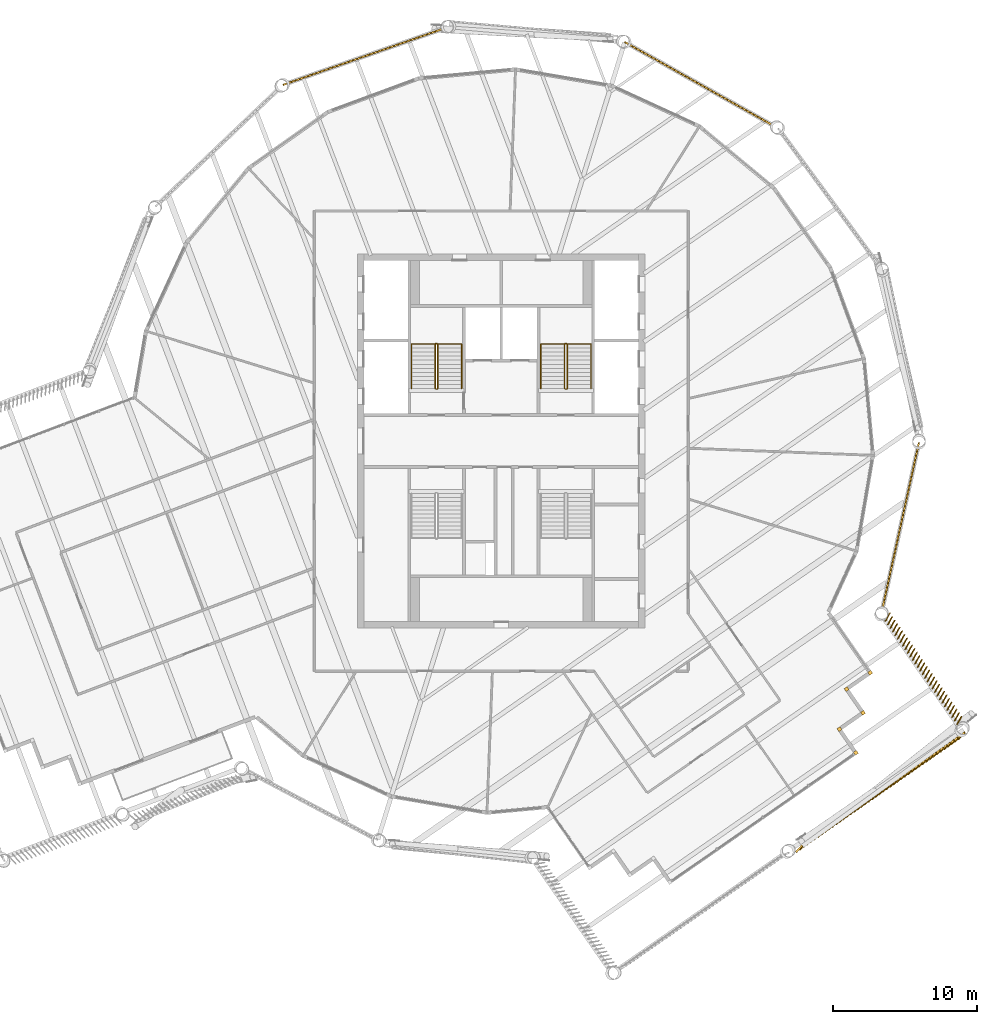
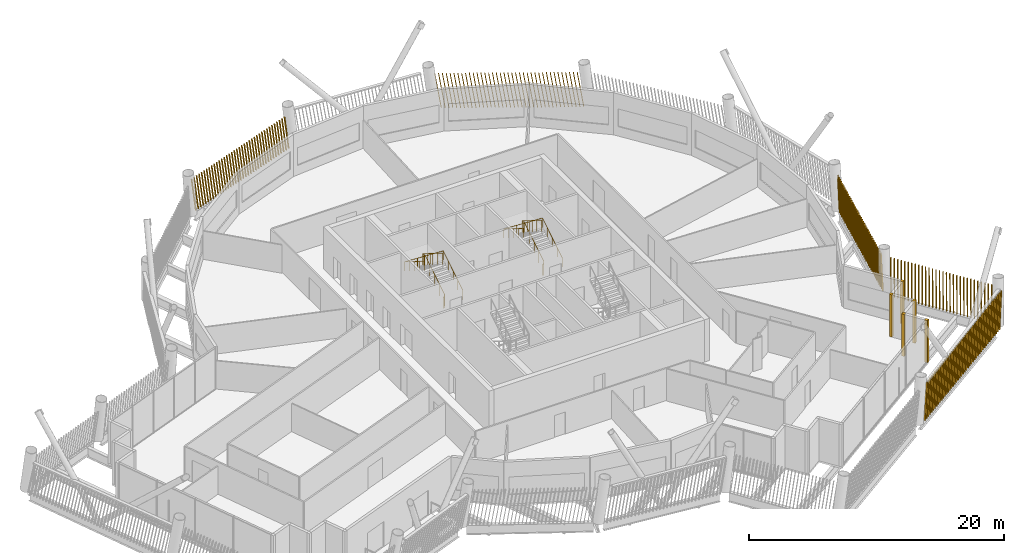
# One storey, part 31 of 33: 10 shading devices, 4 railings.
"""IFC4 building model written with IfcOpenShell, lengths in metres."""

from ifc_helpers import new_model, si_unit, direction, frame, frame_2d, origin, origin_2d, place, context, subcontext, project, spatial, rectangle, circle, composite_profile, extrude, material, type_object, element, save


model = new_model("IFC4")

# Units and contexts
model_context = context("Model", 3, precision=1e-05, world=origin(), true_north=direction((0.0, 1.0)))
body_context = subcontext(model_context, "Body", "Model", "MODEL_VIEW")
ifc_project = project(units=[si_unit("LENGTHUNIT", "METRE"), si_unit("AREAUNIT", "SQUARE_METRE"), si_unit("VOLUMEUNIT", "CUBIC_METRE"), si_unit("PLANEANGLEUNIT", "RADIAN"), si_unit("MASSUNIT", "GRAM", prefix="KILO")], contexts=[model_context])

# Site, building, storey
site_placement = place(None, origin())
site = spatial("IfcSite", under=ifc_project, at=site_placement, CompositionType="ELEMENT")
building_placement = place(site_placement, origin())
building = spatial("IfcBuilding", under=site, at=building_placement, Name="Tarsis Ring Headquarters", CompositionType="ELEMENT")
storey_placement = place(building_placement, frame((0.0, 0.0, 369.199951171875)))
storey = spatial("IfcBuildingStorey", under=building, at=storey_placement, Name="L87", CompositionType="ELEMENT", Elevation=369.199951171875)

# Railings
ifc_material_1 = material(Name="Steel S355", Category="steel")
railing_type_1 = type_object("IfcRailingType", Name="Core stair guard 1100", PredefinedType="GUARDRAIL", material=ifc_material_1)
railing_1_placement = place(storey_placement, frame((-4.5400390625, 3.610107421875, 0.0)))
element("IfcRailing", 1, at=railing_1_placement, inside=storey, type_object=railing_type_1, Name="L87 ST1 stair guard 1", PredefinedType="GUARDRAIL", context=body_context, shape_type="SweptSolid", body=[
    extrude(circle(Radius=0.02392578125, at=origin_2d()), frame((0.0, 0.0, 1.076171875), z_axis=(1.0, 0.0, 0.0), x_axis=(0.0, 1.0, 0.0)), (0.0, 0.0, 1.0), 0.080078125),
    extrude(circle(Radius=0.02392578125, at=origin_2d()), frame((0.080078125, 0.0, 1.076171875), z_axis=(0.265155923931, 0.263862480399, 0.927399011991), x_axis=(-0.705375805398, 0.708833529934, 0.0)), (0.0, 0.0, 1.0), 0.188720703125),
    extrude(circle(Radius=0.02392578125, at=origin_2d()), frame((0.130126953125, 0.0498046875, 1.2509765625), z_axis=(0.0, 0.847998304005, 0.529998940003), x_axis=(-1.0, 0.0, 0.0)), (0.0, 0.0, 1.0), 3.632080078125),
    extrude(circle(Radius=0.02392578125, at=origin_2d()), frame((0.130126953125, 3.1298828125, 3.17626953125), z_axis=(-0.707106781187, 0.707106781187, 0.0), x_axis=(-0.707106781187, -0.707106781187, 0.0)), (0.0, 0.0, 1.0), 0.07080078125),
    extrude(circle(Radius=0.02392578125, at=origin_2d()), frame((0.080078125, 3.179931640625, 3.17626953125), z_axis=(-1.0, 0.0, 0.0), x_axis=(0.0, -1.0, 0.0)), (0.0, 0.0, 1.0), 0.080078125),
    extrude(circle(Radius=0.02392578125, at=origin_2d()), frame((0.0, 3.179931640625, 3.17626953125), z_axis=(-0.265065253269, -0.265065253269, 0.927081885822), x_axis=(0.707106781187, -0.707106781187, 0.0)), (0.0, 0.0, 1.0), 0.188720703125),
    extrude(circle(Radius=0.02392578125, at=origin_2d()), frame((-0.050048828125, 3.1298828125, 3.35107421875), z_axis=(0.0, -0.848028513186, 0.529950602248), x_axis=(1.0, 0.0, 0.0)), (0.0, 0.0, 1.0), 3.632080078125),
    extrude(circle(Radius=0.02099609375, at=origin_2d()), origin(), (0.0, 0.0, 1.0), 1.052001953125),
    extrude(circle(Radius=0.02099609375, at=origin_2d()), frame((0.080078125, 0.0, 0.0)), (0.0, 0.0, 1.0), 1.052001953125),
    extrude(circle(Radius=0.02099609375, at=origin_2d()), frame((0.130126953125, 0.0498046875, 0.175048828125)), (0.0, 0.0, 1.0), 1.052001953125),
    extrude(circle(Radius=0.02099609375, at=origin_2d()), frame((0.130126953125, 0.81982421875, 0.65625)), (0.0, 0.0, 1.0), 1.052001953125),
    extrude(circle(Radius=0.02099609375, at=origin_2d()), frame((0.130126953125, 1.58984375, 1.1376953125)), (0.0, 0.0, 1.0), 1.052001953125),
    extrude(circle(Radius=0.02099609375, at=origin_2d()), frame((0.130126953125, 2.35986328125, 1.618896484375)), (0.0, 0.0, 1.0), 1.052001953125),
    extrude(circle(Radius=0.02099609375, at=origin_2d()), frame((0.130126953125, 3.1298828125, 2.10009765625)), (0.0, 0.0, 1.0), 1.052001953125),
    extrude(circle(Radius=0.02099609375, at=origin_2d()), frame((0.080078125, 3.179931640625, 2.10009765625)), (0.0, 0.0, 1.0), 1.052001953125),
    extrude(circle(Radius=0.02099609375, at=origin_2d()), frame((0.0, 3.179931640625, 2.10009765625)), (0.0, 0.0, 1.0), 1.052001953125),
    extrude(circle(Radius=0.02099609375, at=origin_2d()), frame((-0.050048828125, 3.1298828125, 2.275146484375)), (0.0, 0.0, 1.0), 1.052001953125),
    extrude(circle(Radius=0.02099609375, at=origin_2d()), frame((-0.050048828125, 2.35986328125, 2.75634765625)), (0.0, 0.0, 1.0), 1.052001953125),
    extrude(circle(Radius=0.02099609375, at=origin_2d()), frame((-0.050048828125, 1.58984375, 3.237548828125)), (0.0, 0.0, 1.0), 1.052001953125),
    extrude(circle(Radius=0.02099609375, at=origin_2d()), frame((-0.050048828125, 0.81982421875, 3.71875)), (0.0, 0.0, 1.0), 1.052001953125),
    extrude(circle(Radius=0.02099609375, at=origin_2d()), frame((-0.050048828125, 0.0498046875, 4.199951171875)), (0.0, 0.0, 1.0), 1.052001953125),
])
railing_2_placement = place(storey_placement, frame((4.4599609375, 3.610107421875, 0.0)))
element("IfcRailing", 2, at=railing_2_placement, inside=storey, type_object=railing_type_1, Name="L87 ST2 stair guard 1", PredefinedType="GUARDRAIL", context=body_context, shape_type="SweptSolid", body=[
    extrude(circle(Radius=0.02392578125, at=origin_2d()), frame((0.0, 0.0, 1.076171875), z_axis=(1.0, 0.0, 0.0), x_axis=(0.0, 1.0, 0.0)), (0.0, 0.0, 1.0), 0.080078125),
    extrude(circle(Radius=0.02392578125, at=origin_2d()), frame((0.080078125, 0.0, 1.076171875), z_axis=(0.265155923931, 0.263862480399, 0.927399011991), x_axis=(-0.705375805398, 0.708833529934, 0.0)), (0.0, 0.0, 1.0), 0.188720703125),
    extrude(circle(Radius=0.02392578125, at=origin_2d()), frame((0.130126953125, 0.0498046875, 1.2509765625), z_axis=(0.0, 0.847998304005, 0.529998940003), x_axis=(-1.0, 0.0, 0.0)), (0.0, 0.0, 1.0), 3.632080078125),
    extrude(circle(Radius=0.02392578125, at=origin_2d()), frame((0.130126953125, 3.1298828125, 3.17626953125), z_axis=(-0.707106781187, 0.707106781187, 0.0), x_axis=(-0.707106781187, -0.707106781187, 0.0)), (0.0, 0.0, 1.0), 0.07080078125),
    extrude(circle(Radius=0.02392578125, at=origin_2d()), frame((0.080078125, 3.179931640625, 3.17626953125), z_axis=(-1.0, 0.0, 0.0), x_axis=(0.0, -1.0, 0.0)), (0.0, 0.0, 1.0), 0.080078125),
    extrude(circle(Radius=0.02392578125, at=origin_2d()), frame((0.0, 3.179931640625, 3.17626953125), z_axis=(-0.265065253269, -0.265065253269, 0.927081885822), x_axis=(0.707106781187, -0.707106781187, 0.0)), (0.0, 0.0, 1.0), 0.188720703125),
    extrude(circle(Radius=0.02392578125, at=origin_2d()), frame((-0.050048828125, 3.1298828125, 3.35107421875), z_axis=(0.0, -0.848028513186, 0.529950602248), x_axis=(1.0, 0.0, 0.0)), (0.0, 0.0, 1.0), 3.632080078125),
    extrude(circle(Radius=0.02099609375, at=origin_2d()), origin(), (0.0, 0.0, 1.0), 1.052001953125),
    extrude(circle(Radius=0.02099609375, at=origin_2d()), frame((0.080078125, 0.0, 0.0)), (0.0, 0.0, 1.0), 1.052001953125),
    extrude(circle(Radius=0.02099609375, at=origin_2d()), frame((0.130126953125, 0.0498046875, 0.175048828125)), (0.0, 0.0, 1.0), 1.052001953125),
    extrude(circle(Radius=0.02099609375, at=origin_2d()), frame((0.130126953125, 0.81982421875, 0.65625)), (0.0, 0.0, 1.0), 1.052001953125),
    extrude(circle(Radius=0.02099609375, at=origin_2d()), frame((0.130126953125, 1.58984375, 1.1376953125)), (0.0, 0.0, 1.0), 1.052001953125),
    extrude(circle(Radius=0.02099609375, at=origin_2d()), frame((0.130126953125, 2.35986328125, 1.618896484375)), (0.0, 0.0, 1.0), 1.052001953125),
    extrude(circle(Radius=0.02099609375, at=origin_2d()), frame((0.130126953125, 3.1298828125, 2.10009765625)), (0.0, 0.0, 1.0), 1.052001953125),
    extrude(circle(Radius=0.02099609375, at=origin_2d()), frame((0.080078125, 3.179931640625, 2.10009765625)), (0.0, 0.0, 1.0), 1.052001953125),
    extrude(circle(Radius=0.02099609375, at=origin_2d()), frame((0.0, 3.179931640625, 2.10009765625)), (0.0, 0.0, 1.0), 1.052001953125),
    extrude(circle(Radius=0.02099609375, at=origin_2d()), frame((-0.050048828125, 3.1298828125, 2.275146484375)), (0.0, 0.0, 1.0), 1.052001953125),
    extrude(circle(Radius=0.02099609375, at=origin_2d()), frame((-0.050048828125, 2.35986328125, 2.75634765625)), (0.0, 0.0, 1.0), 1.052001953125),
    extrude(circle(Radius=0.02099609375, at=origin_2d()), frame((-0.050048828125, 1.58984375, 3.237548828125)), (0.0, 0.0, 1.0), 1.052001953125),
    extrude(circle(Radius=0.02099609375, at=origin_2d()), frame((-0.050048828125, 0.81982421875, 3.71875)), (0.0, 0.0, 1.0), 1.052001953125),
    extrude(circle(Radius=0.02099609375, at=origin_2d()), frame((-0.050048828125, 0.0498046875, 4.199951171875)), (0.0, 0.0, 1.0), 1.052001953125),
])
railing_type_2 = type_object("IfcRailingType", Name="Core stair handrail 900", PredefinedType="HANDRAIL", material=ifc_material_1)
railing_3_placement = place(storey_placement, frame((-2.75, 3.659912109375, 0.175048828125)))
element("IfcRailing", 3, at=railing_3_placement, inside=storey, type_object=railing_type_2, Name="L87 ST1 stair handrail 1", PredefinedType="HANDRAIL", context=body_context, shape_type="SweptSolid", body=[
    extrude(circle(Radius=0.02392578125, at=origin_2d()), frame((0.0, 0.0, 0.8759765625), z_axis=(0.0, 0.847998304005, 0.529998940003), x_axis=(-1.0, 0.0, 0.0)), (0.0, 0.0, 1.0), 3.632080078125),
    extrude(circle(Radius=0.02392578125, at=origin_2d()), frame((0.0, 3.080078125, 2.80078125), z_axis=(-0.998751643845, 0.0, 0.049951515669), x_axis=(0.0, -1.0, 0.0)), (0.0, 0.0, 1.0), 3.50439453125),
    extrude(circle(Radius=0.02392578125, at=origin_2d()), frame((-3.5, 3.080078125, 2.97607421875), z_axis=(0.0, -0.848028513186, 0.529950602248), x_axis=(1.0, 0.0, 0.0)), (0.0, 0.0, 1.0), 3.632080078125),
    extrude(circle(Radius=0.02099609375, at=origin_2d()), origin(), (0.0, 0.0, 1.0), 0.851806640625),
    extrude(circle(Radius=0.02099609375, at=origin_2d()), frame((0.0, 0.77001953125, 0.481201171875)), (0.0, 0.0, 1.0), 0.851806640625),
    extrude(circle(Radius=0.02099609375, at=origin_2d()), frame((0.0, 1.5400390625, 0.96240234375)), (0.0, 0.0, 1.0), 0.851806640625),
    extrude(circle(Radius=0.02099609375, at=origin_2d()), frame((0.0, 2.31005859375, 1.44384765625)), (0.0, 0.0, 1.0), 0.851806640625),
    extrude(circle(Radius=0.02099609375, at=origin_2d()), frame((0.0, 3.080078125, 1.925048828125)), (0.0, 0.0, 1.0), 0.851806640625),
    extrude(circle(Radius=0.02099609375, at=origin_2d()), frame((-1.166748046875, 3.080078125, 1.9833984375)), (0.0, 0.0, 1.0), 0.851806640625),
    extrude(circle(Radius=0.02099609375, at=origin_2d()), frame((-2.333251953125, 3.080078125, 2.041748046875)), (0.0, 0.0, 1.0), 0.851806640625),
    extrude(circle(Radius=0.02099609375, at=origin_2d()), frame((-3.5, 3.080078125, 2.10009765625)), (0.0, 0.0, 1.0), 0.851806640625),
    extrude(circle(Radius=0.02099609375, at=origin_2d()), frame((-3.5, 2.31005859375, 2.581298828125)), (0.0, 0.0, 1.0), 0.851806640625),
    extrude(circle(Radius=0.02099609375, at=origin_2d()), frame((-3.5, 1.5400390625, 3.0625)), (0.0, 0.0, 1.0), 0.851806640625),
    extrude(circle(Radius=0.02099609375, at=origin_2d()), frame((-3.5, 0.77001953125, 3.543701171875)), (0.0, 0.0, 1.0), 0.851806640625),
    extrude(circle(Radius=0.02099609375, at=origin_2d()), frame((-3.5, 0.0, 4.02490234375)), (0.0, 0.0, 1.0), 0.851806640625),
])
railing_4_placement = place(storey_placement, frame((6.25, 3.659912109375, 0.175048828125)))
element("IfcRailing", 4, at=railing_4_placement, inside=storey, type_object=railing_type_2, Name="L87 ST2 stair handrail 1", PredefinedType="HANDRAIL", context=body_context, shape_type="SweptSolid", body=[
    extrude(circle(Radius=0.02392578125, at=origin_2d()), frame((0.0, 0.0, 0.8759765625), z_axis=(0.0, 0.847998304005, 0.529998940003), x_axis=(-1.0, 0.0, 0.0)), (0.0, 0.0, 1.0), 3.632080078125),
    extrude(circle(Radius=0.02392578125, at=origin_2d()), frame((0.0, 3.080078125, 2.80078125), z_axis=(-0.998751643845, 0.0, 0.049951515669), x_axis=(0.0, -1.0, 0.0)), (0.0, 0.0, 1.0), 3.50439453125),
    extrude(circle(Radius=0.02392578125, at=origin_2d()), frame((-3.5, 3.080078125, 2.97607421875), z_axis=(0.0, -0.848028513186, 0.529950602248), x_axis=(1.0, 0.0, 0.0)), (0.0, 0.0, 1.0), 3.632080078125),
    extrude(circle(Radius=0.02099609375, at=origin_2d()), origin(), (0.0, 0.0, 1.0), 0.851806640625),
    extrude(circle(Radius=0.02099609375, at=origin_2d()), frame((0.0, 0.77001953125, 0.481201171875)), (0.0, 0.0, 1.0), 0.851806640625),
    extrude(circle(Radius=0.02099609375, at=origin_2d()), frame((0.0, 1.5400390625, 0.96240234375)), (0.0, 0.0, 1.0), 0.851806640625),
    extrude(circle(Radius=0.02099609375, at=origin_2d()), frame((0.0, 2.31005859375, 1.44384765625)), (0.0, 0.0, 1.0), 0.851806640625),
    extrude(circle(Radius=0.02099609375, at=origin_2d()), frame((0.0, 3.080078125, 1.925048828125)), (0.0, 0.0, 1.0), 0.851806640625),
    extrude(circle(Radius=0.02099609375, at=origin_2d()), frame((-1.166748046875, 3.080078125, 1.9833984375)), (0.0, 0.0, 1.0), 0.851806640625),
    extrude(circle(Radius=0.02099609375, at=origin_2d()), frame((-2.333251953125, 3.080078125, 2.041748046875)), (0.0, 0.0, 1.0), 0.851806640625),
    extrude(circle(Radius=0.02099609375, at=origin_2d()), frame((-3.5, 3.080078125, 2.10009765625)), (0.0, 0.0, 1.0), 0.851806640625),
    extrude(circle(Radius=0.02099609375, at=origin_2d()), frame((-3.5, 2.31005859375, 2.581298828125)), (0.0, 0.0, 1.0), 0.851806640625),
    extrude(circle(Radius=0.02099609375, at=origin_2d()), frame((-3.5, 1.5400390625, 3.0625)), (0.0, 0.0, 1.0), 0.851806640625),
    extrude(circle(Radius=0.02099609375, at=origin_2d()), frame((-3.5, 0.77001953125, 3.543701171875)), (0.0, 0.0, 1.0), 0.851806640625),
    extrude(circle(Radius=0.02099609375, at=origin_2d()), frame((-3.5, 0.0, 4.02490234375)), (0.0, 0.0, 1.0), 0.851806640625),
])

# Shading devices
ifc_material_2 = material(Name="Terracotta baguette", Category="masonry")
shading_device_type_1 = type_object("IfcShadingDeviceType", Name="Terracotta baguette screen", PredefinedType="USERDEFINED", material=ifc_material_2)
shading_device_1_placement = place(storey_placement, frame((20.4853515625, -28.5986328125, 0.0), z_axis=(0.0, 0.0, 1.0), x_axis=(0.821144252203, 0.570710823338, 0.0)))
element("IfcShadingDevice", 5, at=shading_device_1_placement, inside=storey, type_object=shading_device_type_1, Name="Baguette screen L87-03", ObjectType="Terracotta baguette screen", PredefinedType="USERDEFINED", context=body_context, shape_type="SweptSolid", body=[
    extrude(composite_profile([rectangle(XDim=0.06005859375, YDim=0.1201171875, at=frame_2d((0.030029296875, 0.0))), rectangle(XDim=0.06005859375, YDim=0.1201171875, at=frame_2d((0.33544921875, 0.0))), rectangle(XDim=0.06005859375, YDim=0.1201171875, at=frame_2d((0.640625, 0.0))), rectangle(XDim=0.06005859375, YDim=0.1201171875, at=frame_2d((0.946044921875, 0.0))), rectangle(XDim=0.06005859375, YDim=0.1201171875, at=frame_2d((1.25146484375, 0.0))), rectangle(XDim=0.06005859375, YDim=0.1201171875, at=frame_2d((1.556640625, 0.0))), rectangle(XDim=0.06005859375, YDim=0.1201171875, at=frame_2d((1.862060546875, 0.0))), rectangle(XDim=0.06005859375, YDim=0.1201171875, at=frame_2d((2.16748046875, 0.0))), rectangle(XDim=0.06005859375, YDim=0.1201171875, at=frame_2d((2.47265625, 0.0))), rectangle(XDim=0.06005859375, YDim=0.1201171875, at=frame_2d((2.778076171875, 0.0))), rectangle(XDim=0.06005859375, YDim=0.1201171875, at=frame_2d((3.08349609375, 0.0))), rectangle(XDim=0.06005859375, YDim=0.1201171875, at=frame_2d((3.388671875, 0.0))), rectangle(XDim=0.06005859375, YDim=0.1201171875, at=frame_2d((3.694091796875, 0.0))), rectangle(XDim=0.06005859375, YDim=0.1201171875, at=frame_2d((3.99951171875, 0.0))), rectangle(XDim=0.06005859375, YDim=0.1201171875, at=frame_2d((4.3046875, 0.0))), rectangle(XDim=0.06005859375, YDim=0.1201171875, at=frame_2d((4.610107421875, 0.0))), rectangle(XDim=0.06005859375, YDim=0.1201171875, at=frame_2d((4.91552734375, 0.0))), rectangle(XDim=0.06005859375, YDim=0.1201171875, at=frame_2d((5.220703125, 0.0))), rectangle(XDim=0.06005859375, YDim=0.1201171875, at=frame_2d((5.526123046875, 0.0))), rectangle(XDim=0.06005859375, YDim=0.1201171875, at=frame_2d((5.83154296875, 0.0))), rectangle(XDim=0.06005859375, YDim=0.1201171875, at=frame_2d((6.13671875, 0.0))), rectangle(XDim=0.06005859375, YDim=0.1201171875, at=frame_2d((6.442138671875, 0.0))), rectangle(XDim=0.06005859375, YDim=0.1201171875, at=frame_2d((6.74755859375, 0.0))), rectangle(XDim=0.06005859375, YDim=0.1201171875, at=frame_2d((7.052734375, 0.0))), rectangle(XDim=0.06005859375, YDim=0.1201171875, at=frame_2d((7.358154296875, 0.0))), rectangle(XDim=0.06005859375, YDim=0.1201171875, at=frame_2d((7.66357421875, 0.0))), rectangle(XDim=0.06005859375, YDim=0.1201171875, at=frame_2d((7.96875, 0.0))), rectangle(XDim=0.06005859375, YDim=0.1201171875, at=frame_2d((8.274169921875, 0.0))), rectangle(XDim=0.06005859375, YDim=0.1201171875, at=frame_2d((8.57958984375, 0.0))), rectangle(XDim=0.06005859375, YDim=0.1201171875, at=frame_2d((8.884765625, 0.0))), rectangle(XDim=0.06005859375, YDim=0.1201171875, at=frame_2d((9.190185546875, 0.0))), rectangle(XDim=0.06005859375, YDim=0.1201171875, at=frame_2d((9.49560546875, 0.0))), rectangle(XDim=0.06005859375, YDim=0.1201171875, at=frame_2d((9.80078125, 0.0))), rectangle(XDim=0.06005859375, YDim=0.1201171875, at=frame_2d((10.106201171875, 0.0))), rectangle(XDim=0.06005859375, YDim=0.1201171875, at=frame_2d((10.41162109375, 0.0))), rectangle(XDim=0.06005859375, YDim=0.1201171875, at=frame_2d((10.716796875, 0.0))), rectangle(XDim=0.06005859375, YDim=0.1201171875, at=frame_2d((11.022216796875, 0.0))), rectangle(XDim=0.06005859375, YDim=0.1201171875, at=frame_2d((11.32763671875, 0.0))), rectangle(XDim=0.06005859375, YDim=0.1201171875, at=frame_2d((11.6328125, 0.0))), rectangle(XDim=0.06005859375, YDim=0.1201171875, at=frame_2d((11.938232421875, 0.0))), rectangle(XDim=0.06005859375, YDim=0.1201171875, at=frame_2d((12.24365234375, 0.0))), rectangle(XDim=0.06005859375, YDim=0.1201171875, at=frame_2d((12.548828125, 0.0))), rectangle(XDim=0.06005859375, YDim=0.1201171875, at=frame_2d((12.854248046875, 0.0))), rectangle(XDim=0.06005859375, YDim=0.1201171875, at=frame_2d((13.15966796875, 0.0))), rectangle(XDim=0.06005859375, YDim=0.1201171875, at=frame_2d((13.46484375, 0.0))), rectangle(XDim=0.06005859375, YDim=0.1201171875, at=frame_2d((13.770263671875, 0.0)))]), origin(), (0.190512166858, 0.041887954961, 0.98079075929), 3.3447265625),
])
shading_device_2_placement = place(storey_placement, frame((31.728515625, -19.71875, 0.0), z_axis=(0.0, 0.0, 1.0), x_axis=(-0.570723456174, 0.821146327261, 0.0)))
element("IfcShadingDevice", 6, at=shading_device_2_placement, inside=storey, type_object=shading_device_type_1, Name="Baguette screen L87-04", ObjectType="Terracotta baguette screen", PredefinedType="USERDEFINED", context=body_context, shape_type="SweptSolid", body=[
    extrude(composite_profile([rectangle(XDim=0.06005859375, YDim=0.1201171875, at=frame_2d((0.030029296875, 0.0))), rectangle(XDim=0.06005859375, YDim=0.1201171875, at=frame_2d((0.33154296875, 0.0))), rectangle(XDim=0.06005859375, YDim=0.1201171875, at=frame_2d((0.633056640625, 0.0))), rectangle(XDim=0.06005859375, YDim=0.1201171875, at=frame_2d((0.9345703125, 0.0))), rectangle(XDim=0.06005859375, YDim=0.1201171875, at=frame_2d((1.236083984375, 0.0))), rectangle(XDim=0.06005859375, YDim=0.1201171875, at=frame_2d((1.53759765625, 0.0))), rectangle(XDim=0.06005859375, YDim=0.1201171875, at=frame_2d((1.839111328125, 0.0))), rectangle(XDim=0.06005859375, YDim=0.1201171875, at=frame_2d((2.140625, 0.0))), rectangle(XDim=0.06005859375, YDim=0.1201171875, at=frame_2d((2.442138671875, 0.0))), rectangle(XDim=0.06005859375, YDim=0.1201171875, at=frame_2d((2.74365234375, 0.0))), rectangle(XDim=0.06005859375, YDim=0.1201171875, at=frame_2d((3.045166015625, 0.0))), rectangle(XDim=0.06005859375, YDim=0.1201171875, at=frame_2d((3.3466796875, 0.0))), rectangle(XDim=0.06005859375, YDim=0.1201171875, at=frame_2d((3.648193359375, 0.0))), rectangle(XDim=0.06005859375, YDim=0.1201171875, at=frame_2d((3.94970703125, 0.0))), rectangle(XDim=0.06005859375, YDim=0.1201171875, at=frame_2d((4.251220703125, 0.0))), rectangle(XDim=0.06005859375, YDim=0.1201171875, at=frame_2d((4.552978515625, 0.0))), rectangle(XDim=0.06005859375, YDim=0.1201171875, at=frame_2d((4.8544921875, 0.0))), rectangle(XDim=0.06005859375, YDim=0.1201171875, at=frame_2d((5.156005859375, 0.0))), rectangle(XDim=0.06005859375, YDim=0.1201171875, at=frame_2d((5.45751953125, 0.0))), rectangle(XDim=0.06005859375, YDim=0.1201171875, at=frame_2d((5.759033203125, 0.0))), rectangle(XDim=0.06005859375, YDim=0.1201171875, at=frame_2d((6.060546875, 0.0))), rectangle(XDim=0.06005859375, YDim=0.1201171875, at=frame_2d((6.362060546875, 0.0))), rectangle(XDim=0.06005859375, YDim=0.1201171875, at=frame_2d((6.66357421875, 0.0))), rectangle(XDim=0.06005859375, YDim=0.1201171875, at=frame_2d((6.965087890625, 0.0))), rectangle(XDim=0.06005859375, YDim=0.1201171875, at=frame_2d((7.2666015625, 0.0))), rectangle(XDim=0.06005859375, YDim=0.1201171875, at=frame_2d((7.568115234375, 0.0))), rectangle(XDim=0.06005859375, YDim=0.1201171875, at=frame_2d((7.86962890625, 0.0))), rectangle(XDim=0.06005859375, YDim=0.1201171875, at=frame_2d((8.171142578125, 0.0))), rectangle(XDim=0.06005859375, YDim=0.1201171875, at=frame_2d((8.47265625, 0.0))), rectangle(XDim=0.06005859375, YDim=0.1201171875, at=frame_2d((8.774169921875, 0.0)))]), origin(), (0.081999706133, -0.161940747497, 0.983387635927), 3.3359375),
])
shading_device_3_placement = place(storey_placement, frame((26.525634765625, -11.590087890625, 0.0), z_axis=(0.0, 0.0, 1.0), x_axis=(0.214715138361, 0.976668475312, 0.0)))
element("IfcShadingDevice", 7, at=shading_device_3_placement, inside=storey, type_object=shading_device_type_1, Name="Baguette screen L87-05", ObjectType="Terracotta baguette screen", PredefinedType="USERDEFINED", context=body_context, shape_type="SweptSolid", body=[
    extrude(composite_profile([rectangle(XDim=0.06005859375, YDim=0.1201171875, at=frame_2d((0.030029296875, 0.0))), rectangle(XDim=0.06005859375, YDim=0.1201171875, at=frame_2d((0.33251953125, 0.0))), rectangle(XDim=0.06005859375, YDim=0.1201171875, at=frame_2d((0.634765625, 0.0))), rectangle(XDim=0.06005859375, YDim=0.1201171875, at=frame_2d((0.937255859375, 0.0))), rectangle(XDim=0.06005859375, YDim=0.1201171875, at=frame_2d((1.239501953125, 0.0))), rectangle(XDim=0.06005859375, YDim=0.1201171875, at=frame_2d((1.5419921875, 0.0))), rectangle(XDim=0.06005859375, YDim=0.1201171875, at=frame_2d((1.844482421875, 0.0))), rectangle(XDim=0.06005859375, YDim=0.1201171875, at=frame_2d((2.146728515625, 0.0))), rectangle(XDim=0.06005859375, YDim=0.1201171875, at=frame_2d((2.44921875, 0.0))), rectangle(XDim=0.06005859375, YDim=0.1201171875, at=frame_2d((2.751708984375, 0.0))), rectangle(XDim=0.06005859375, YDim=0.1201171875, at=frame_2d((3.053955078125, 0.0))), rectangle(XDim=0.06005859375, YDim=0.1201171875, at=frame_2d((3.3564453125, 0.0))), rectangle(XDim=0.06005859375, YDim=0.1201171875, at=frame_2d((3.65869140625, 0.0))), rectangle(XDim=0.06005859375, YDim=0.1201171875, at=frame_2d((3.961181640625, 0.0))), rectangle(XDim=0.06005859375, YDim=0.1201171875, at=frame_2d((4.263671875, 0.0))), rectangle(XDim=0.06005859375, YDim=0.1201171875, at=frame_2d((4.56591796875, 0.0))), rectangle(XDim=0.06005859375, YDim=0.1201171875, at=frame_2d((4.868408203125, 0.0))), rectangle(XDim=0.06005859375, YDim=0.1201171875, at=frame_2d((5.1708984375, 0.0))), rectangle(XDim=0.06005859375, YDim=0.1201171875, at=frame_2d((5.47314453125, 0.0))), rectangle(XDim=0.06005859375, YDim=0.1201171875, at=frame_2d((5.775634765625, 0.0))), rectangle(XDim=0.06005859375, YDim=0.1201171875, at=frame_2d((6.077880859375, 0.0))), rectangle(XDim=0.06005859375, YDim=0.1201171875, at=frame_2d((6.38037109375, 0.0))), rectangle(XDim=0.06005859375, YDim=0.1201171875, at=frame_2d((6.682861328125, 0.0))), rectangle(XDim=0.06005859375, YDim=0.1201171875, at=frame_2d((6.985107421875, 0.0))), rectangle(XDim=0.06005859375, YDim=0.1201171875, at=frame_2d((7.28759765625, 0.0))), rectangle(XDim=0.06005859375, YDim=0.1201171875, at=frame_2d((7.590087890625, 0.0))), rectangle(XDim=0.06005859375, YDim=0.1201171875, at=frame_2d((7.892333984375, 0.0))), rectangle(XDim=0.06005859375, YDim=0.1201171875, at=frame_2d((8.19482421875, 0.0))), rectangle(XDim=0.06005859375, YDim=0.1201171875, at=frame_2d((8.4970703125, 0.0))), rectangle(XDim=0.06005859375, YDim=0.1201171875, at=frame_2d((8.799560546875, 0.0))), rectangle(XDim=0.06005859375, YDim=0.1201171875, at=frame_2d((9.10205078125, 0.0))), rectangle(XDim=0.06005859375, YDim=0.1201171875, at=frame_2d((9.404296875, 0.0))), rectangle(XDim=0.06005859375, YDim=0.1201171875, at=frame_2d((9.706787109375, 0.0))), rectangle(XDim=0.06005859375, YDim=0.1201171875, at=frame_2d((10.00927734375, 0.0))), rectangle(XDim=0.06005859375, YDim=0.1201171875, at=frame_2d((10.3115234375, 0.0))), rectangle(XDim=0.06005859375, YDim=0.1201171875, at=frame_2d((10.614013671875, 0.0))), rectangle(XDim=0.06005859375, YDim=0.1201171875, at=frame_2d((10.916259765625, 0.0))), rectangle(XDim=0.06005859375, YDim=0.1201171875, at=frame_2d((11.21875, 0.0)))]), origin(), (0.155201541559, 0.001409093277, 0.987881822868), 3.32080078125),
])
shading_device_4_placement = place(storey_placement, frame((18.82861328125, 21.987060546875, 0.0), z_axis=(0.0, 0.0, 1.0), x_axis=(-0.871470428649, 0.490461204558, 0.0)))
element("IfcShadingDevice", 8, at=shading_device_4_placement, inside=storey, type_object=shading_device_type_1, Name="Baguette screen L87-08", ObjectType="Terracotta baguette screen", PredefinedType="USERDEFINED", context=body_context, shape_type="SweptSolid", body=[
    extrude(composite_profile([rectangle(XDim=0.06005859375, YDim=0.1201171875, at=frame_2d((0.030029296875, 0.0))), rectangle(XDim=0.06005859375, YDim=0.1201171875, at=frame_2d((0.33251953125, 0.0))), rectangle(XDim=0.06005859375, YDim=0.1201171875, at=frame_2d((0.634765625, 0.0))), rectangle(XDim=0.06005859375, YDim=0.1201171875, at=frame_2d((0.937255859375, 0.0))), rectangle(XDim=0.06005859375, YDim=0.1201171875, at=frame_2d((1.239501953125, 0.0))), rectangle(XDim=0.06005859375, YDim=0.1201171875, at=frame_2d((1.5419921875, 0.0))), rectangle(XDim=0.06005859375, YDim=0.1201171875, at=frame_2d((1.844482421875, 0.0))), rectangle(XDim=0.06005859375, YDim=0.1201171875, at=frame_2d((2.146728515625, 0.0))), rectangle(XDim=0.06005859375, YDim=0.1201171875, at=frame_2d((2.44921875, 0.0))), rectangle(XDim=0.06005859375, YDim=0.1201171875, at=frame_2d((2.751708984375, 0.0))), rectangle(XDim=0.06005859375, YDim=0.1201171875, at=frame_2d((3.053955078125, 0.0))), rectangle(XDim=0.06005859375, YDim=0.1201171875, at=frame_2d((3.3564453125, 0.0))), rectangle(XDim=0.06005859375, YDim=0.1201171875, at=frame_2d((3.65869140625, 0.0))), rectangle(XDim=0.06005859375, YDim=0.1201171875, at=frame_2d((3.961181640625, 0.0))), rectangle(XDim=0.06005859375, YDim=0.1201171875, at=frame_2d((4.263671875, 0.0))), rectangle(XDim=0.06005859375, YDim=0.1201171875, at=frame_2d((4.56591796875, 0.0))), rectangle(XDim=0.06005859375, YDim=0.1201171875, at=frame_2d((4.868408203125, 0.0))), rectangle(XDim=0.06005859375, YDim=0.1201171875, at=frame_2d((5.1708984375, 0.0))), rectangle(XDim=0.06005859375, YDim=0.1201171875, at=frame_2d((5.47314453125, 0.0))), rectangle(XDim=0.06005859375, YDim=0.1201171875, at=frame_2d((5.775634765625, 0.0))), rectangle(XDim=0.06005859375, YDim=0.1201171875, at=frame_2d((6.077880859375, 0.0))), rectangle(XDim=0.06005859375, YDim=0.1201171875, at=frame_2d((6.38037109375, 0.0))), rectangle(XDim=0.06005859375, YDim=0.1201171875, at=frame_2d((6.682861328125, 0.0))), rectangle(XDim=0.06005859375, YDim=0.1201171875, at=frame_2d((6.985107421875, 0.0))), rectangle(XDim=0.06005859375, YDim=0.1201171875, at=frame_2d((7.28759765625, 0.0))), rectangle(XDim=0.06005859375, YDim=0.1201171875, at=frame_2d((7.590087890625, 0.0))), rectangle(XDim=0.06005859375, YDim=0.1201171875, at=frame_2d((7.892333984375, 0.0))), rectangle(XDim=0.06005859375, YDim=0.1201171875, at=frame_2d((8.19482421875, 0.0))), rectangle(XDim=0.06005859375, YDim=0.1201171875, at=frame_2d((8.4970703125, 0.0))), rectangle(XDim=0.06005859375, YDim=0.1201171875, at=frame_2d((8.799560546875, 0.0))), rectangle(XDim=0.06005859375, YDim=0.1201171875, at=frame_2d((9.10205078125, 0.0))), rectangle(XDim=0.06005859375, YDim=0.1201171875, at=frame_2d((9.404296875, 0.0))), rectangle(XDim=0.06005859375, YDim=0.1201171875, at=frame_2d((9.706787109375, 0.0))), rectangle(XDim=0.06005859375, YDim=0.1201171875, at=frame_2d((10.00927734375, 0.0))), rectangle(XDim=0.06005859375, YDim=0.1201171875, at=frame_2d((10.3115234375, 0.0))), rectangle(XDim=0.06005859375, YDim=0.1201171875, at=frame_2d((10.614013671875, 0.0))), rectangle(XDim=0.06005859375, YDim=0.1201171875, at=frame_2d((10.916259765625, 0.0))), rectangle(XDim=0.06005859375, YDim=0.1201171875, at=frame_2d((11.21875, 0.0)))]), origin(), (0.155203662126, 0.001407292762, 0.98788149228), 3.32080078125),
])
shading_device_5_placement = place(storey_placement, frame((-4.083740234375, 28.65771484375, 0.0), z_axis=(0.0, 0.0, 1.0), x_axis=(-0.943722192078, -0.330743353228, 0.0)))
element("IfcShadingDevice", 9, at=shading_device_5_placement, inside=storey, type_object=shading_device_type_1, Name="Baguette screen L87-10", ObjectType="Terracotta baguette screen", PredefinedType="USERDEFINED", context=body_context, shape_type="SweptSolid", body=[
    extrude(composite_profile([rectangle(XDim=0.06005859375, YDim=0.1201171875, at=frame_2d((0.030029296875, 0.0))), rectangle(XDim=0.06005859375, YDim=0.1201171875, at=frame_2d((0.33251953125, 0.0))), rectangle(XDim=0.06005859375, YDim=0.1201171875, at=frame_2d((0.634765625, 0.0))), rectangle(XDim=0.06005859375, YDim=0.1201171875, at=frame_2d((0.937255859375, 0.0))), rectangle(XDim=0.06005859375, YDim=0.1201171875, at=frame_2d((1.239501953125, 0.0))), rectangle(XDim=0.06005859375, YDim=0.1201171875, at=frame_2d((1.5419921875, 0.0))), rectangle(XDim=0.06005859375, YDim=0.1201171875, at=frame_2d((1.844482421875, 0.0))), rectangle(XDim=0.06005859375, YDim=0.1201171875, at=frame_2d((2.146728515625, 0.0))), rectangle(XDim=0.06005859375, YDim=0.1201171875, at=frame_2d((2.44921875, 0.0))), rectangle(XDim=0.06005859375, YDim=0.1201171875, at=frame_2d((2.751708984375, 0.0))), rectangle(XDim=0.06005859375, YDim=0.1201171875, at=frame_2d((3.053955078125, 0.0))), rectangle(XDim=0.06005859375, YDim=0.1201171875, at=frame_2d((3.3564453125, 0.0))), rectangle(XDim=0.06005859375, YDim=0.1201171875, at=frame_2d((3.65869140625, 0.0))), rectangle(XDim=0.06005859375, YDim=0.1201171875, at=frame_2d((3.961181640625, 0.0))), rectangle(XDim=0.06005859375, YDim=0.1201171875, at=frame_2d((4.263671875, 0.0))), rectangle(XDim=0.06005859375, YDim=0.1201171875, at=frame_2d((4.56591796875, 0.0))), rectangle(XDim=0.06005859375, YDim=0.1201171875, at=frame_2d((4.868408203125, 0.0))), rectangle(XDim=0.06005859375, YDim=0.1201171875, at=frame_2d((5.1708984375, 0.0))), rectangle(XDim=0.06005859375, YDim=0.1201171875, at=frame_2d((5.47314453125, 0.0))), rectangle(XDim=0.06005859375, YDim=0.1201171875, at=frame_2d((5.775634765625, 0.0))), rectangle(XDim=0.06005859375, YDim=0.1201171875, at=frame_2d((6.077880859375, 0.0))), rectangle(XDim=0.06005859375, YDim=0.1201171875, at=frame_2d((6.38037109375, 0.0))), rectangle(XDim=0.06005859375, YDim=0.1201171875, at=frame_2d((6.682861328125, 0.0))), rectangle(XDim=0.06005859375, YDim=0.1201171875, at=frame_2d((6.985107421875, 0.0))), rectangle(XDim=0.06005859375, YDim=0.1201171875, at=frame_2d((7.28759765625, 0.0))), rectangle(XDim=0.06005859375, YDim=0.1201171875, at=frame_2d((7.590087890625, 0.0))), rectangle(XDim=0.06005859375, YDim=0.1201171875, at=frame_2d((7.892333984375, 0.0))), rectangle(XDim=0.06005859375, YDim=0.1201171875, at=frame_2d((8.19482421875, 0.0))), rectangle(XDim=0.06005859375, YDim=0.1201171875, at=frame_2d((8.4970703125, 0.0))), rectangle(XDim=0.06005859375, YDim=0.1201171875, at=frame_2d((8.799560546875, 0.0))), rectangle(XDim=0.06005859375, YDim=0.1201171875, at=frame_2d((9.10205078125, 0.0))), rectangle(XDim=0.06005859375, YDim=0.1201171875, at=frame_2d((9.404296875, 0.0))), rectangle(XDim=0.06005859375, YDim=0.1201171875, at=frame_2d((9.706787109375, 0.0))), rectangle(XDim=0.06005859375, YDim=0.1201171875, at=frame_2d((10.00927734375, 0.0))), rectangle(XDim=0.06005859375, YDim=0.1201171875, at=frame_2d((10.3115234375, 0.0))), rectangle(XDim=0.06005859375, YDim=0.1201171875, at=frame_2d((10.614013671875, 0.0))), rectangle(XDim=0.06005859375, YDim=0.1201171875, at=frame_2d((10.916259765625, 0.0))), rectangle(XDim=0.06005859375, YDim=0.1201171875, at=frame_2d((11.21875, 0.0)))]), origin(), (0.155203050077, 0.001408154103, 0.98788158721), 3.32080078125),
])
shading_device_type_2 = type_object("IfcShadingDeviceType", Name="Terracotta corner baguette 250x250", PredefinedType="USERDEFINED", material=ifc_material_2)
for number, where, z_axis, x_axis, name in (
    (10, (24.657958984375, -21.6796875, 0.0), (0.0, 0.0, 1.0), (0.821149229055, 0.570713539021, 0.0), "Corner baguette L87-12"),
    (11, (23.5166015625, -20.037353515625, 0.0), (0.0, 0.0, 1.0), (-0.570713725334, 0.821149099565, 0.0), "Corner baguette L87-13"),
    (12, (25.158935546875, -18.89599609375, 0.0), (0.0, 0.0, 1.0), (0.821149567723, 0.570713051741, 0.0), "Corner baguette L87-14"),
    (13, (24.017578125, -17.253662109375, 0.0), (0.0, 0.0, 1.0), (-0.570713381372, 0.821149338624, 0.0), "Corner baguette L87-15"),
    (14, (25.65966796875, -16.1123046875, 0.0), (0.0, 0.0, 1.0), (0.821149338624, 0.570713381372, 0.0), "Corner baguette L87-16"),
):
    element("IfcShadingDevice", number, at=place(storey_placement, frame(where, z_axis=z_axis, x_axis=x_axis)), inside=storey, type_object=shading_device_type_2, Name=name, ObjectType="Terracotta corner baguette", PredefinedType="USERDEFINED", context=body_context, shape_type="SweptSolid", body=[
        extrude(rectangle(XDim=0.25, YDim=0.25, at=origin_2d()), origin(), (0.0, 0.0, 1.0), 4.0400390625),
    ])

save(model, "model.ifc")
